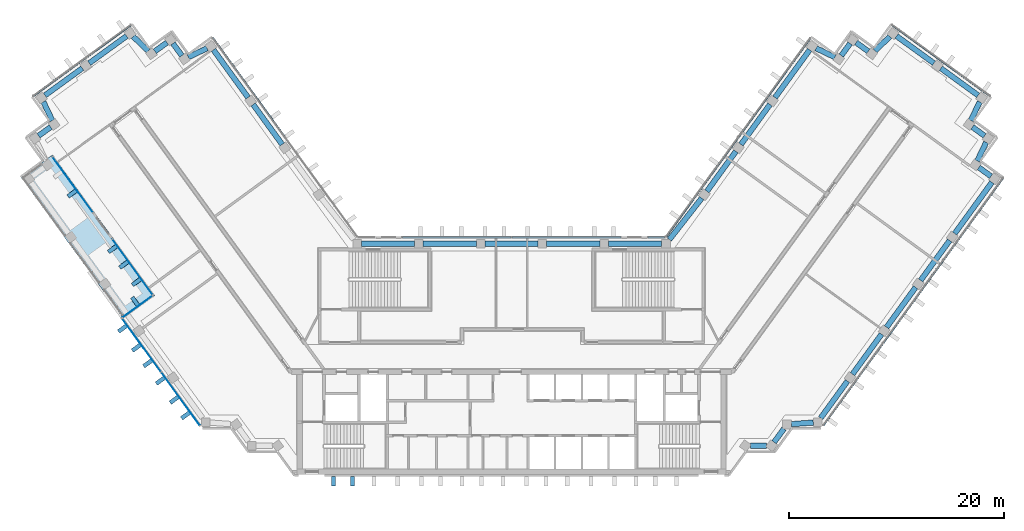
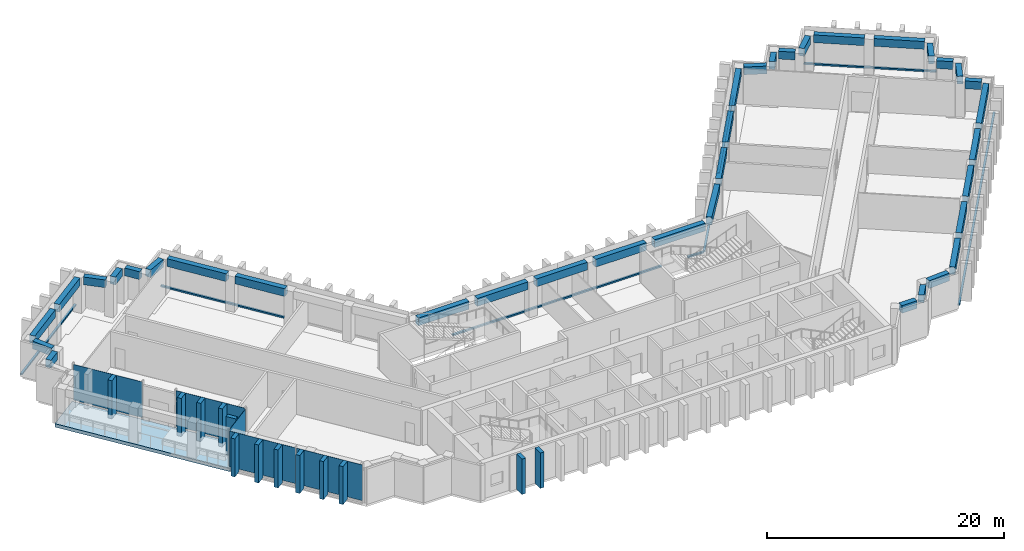
"""IFC4 building model written with IfcOpenShell, lengths in metres."""

from ifc_helpers import new_model, si_unit, direction, frame, origin, origin_2d, place, context, subcontext, project, spatial, polyline, rectangle, outline, extrude, material, layer, layer_set, material_profile, profile_set, type_object, element, aggregate, save


model = new_model("IFC4")

# Units and contexts
model_context = context("Model", 3, precision=1e-05, world=origin(), true_north=direction((0.0, 1.0)))
body_context = subcontext(model_context, "Body", "Model", "MODEL_VIEW")
ifc_project = project(units=[si_unit("LENGTHUNIT", "METRE"), si_unit("AREAUNIT", "SQUARE_METRE"), si_unit("VOLUMEUNIT", "CUBIC_METRE"), si_unit("PLANEANGLEUNIT", "RADIAN"), si_unit("MASSUNIT", "GRAM", prefix="KILO")], contexts=[model_context])

# Site, building, storey
site_placement = place(None, origin())
site = spatial("IfcSite", under=ifc_project, at=site_placement, CompositionType="ELEMENT")
building_placement = place(site_placement, origin())
building = spatial("IfcBuilding", under=site, at=building_placement, Name="Quipu Civic Tower", CompositionType="ELEMENT")
storey_1_placement = place(building_placement, frame((0.0, 0.0, 152.0)))
storey_1 = spatial("IfcBuildingStorey", under=building, at=storey_1_placement, Name="L35", CompositionType="ELEMENT", Elevation=152.0)

# Beams
ifc_material_1 = material(Name="Concrete C50/60", Category="concrete")
ifc_material_profile_1 = material_profile(ifc_material_1, rectangle(XDim=0.5, YDim=0.800048828125, at=origin_2d()), Name="RC500x800")
ifc_profile_set_1 = profile_set([ifc_material_profile_1], Name="Concrete C50/60")
beam_type = type_object("IfcBeamType", Name="Spandrel beam RC 500x800 C50/60", PredefinedType="SPANDREL", material=ifc_profile_set_1)
beam_1_placement = place(storey_1_placement, frame((-21.382568359375, 19.767333984375, 3.25), z_axis=(-0.587736122681, 0.809052686848, 0.0), x_axis=(-0.809052686848, -0.587736122681, 0.0)))
element("IfcBeam", 1, at=beam_1_placement, inside=storey_1, type_object=beam_type, Name="Spandrel beam L35 W-IN-02 to W-IN-03", PredefinedType="SPANDREL", context=body_context, shape_type="SweptSolid", body=[
    extrude(rectangle(XDim=0.5, YDim=0.800048828125, at=origin_2d()), origin(), (0.0, 0.0, 1.0), 4.60009765625),
])
beam_2_placement = place(storey_1_placement, frame((-24.556396484375, 24.13623046875, 3.25), z_axis=(-0.587664254196, 0.809104890815, 0.0), x_axis=(-0.809104890815, -0.587664254196, 0.0)))
element("IfcBeam", 2, at=beam_2_placement, inside=storey_1, type_object=beam_type, Name="Spandrel beam L35 W-IN-03 to T-Wi.0-W34", PredefinedType="SPANDREL", context=body_context, shape_type="SweptSolid", body=[
    extrude(rectangle(XDim=0.5, YDim=0.800048828125, at=origin_2d()), origin(), (0.0, 0.0, 1.0), 5.493896484375),
])
beam_3_placement = place(storey_1_placement, frame((-28.38720703125, 28.72998046875, 3.25), z_axis=(-0.902584802379, -0.430512107279, 0.0), x_axis=(0.430512107279, -0.902584802379, 0.0)))
element("IfcBeam", 3, at=beam_3_placement, inside=storey_1, type_object=beam_type, Name="Spandrel beam L35 T-Wi.0-W34 to T-Wi.1-W34", PredefinedType="SPANDREL", context=body_context, shape_type="SweptSolid", body=[
    extrude(rectangle(XDim=0.5, YDim=0.800048828125, at=origin_2d()), origin(), (0.0, 0.0, 1.0), 1.9326171875),
])
beam_4_placement = place(storey_1_placement, frame((-30.734375, 28.0458984375, 3.25), z_axis=(-0.589342949835, 0.80788296645, 0.0), x_axis=(-0.80788296645, -0.589342949835, 0.0)))
element("IfcBeam", 4, at=beam_4_placement, inside=storey_1, type_object=beam_type, Name="Spandrel beam L35 T-Wi.1-W34 to T-Wi.2-W34", PredefinedType="SPANDREL", context=body_context, shape_type="SweptSolid", body=[
    extrude(rectangle(XDim=0.5, YDim=0.800048828125, at=origin_2d()), origin(), (0.0, 0.0, 1.0), 1.39990234375),
])
beam_5_placement = place(storey_1_placement, frame((-32.118896484375, 29.26513671875, 3.25), z_axis=(-0.80941533633, -0.587236590578, 0.0), x_axis=(0.587236590578, -0.80941533633, 0.0)))
element("IfcBeam", 5, at=beam_5_placement, inside=storey_1, type_object=beam_type, Name="Spandrel beam L35 T-Wi.2-W34 to T-Wi.3-W34", PredefinedType="SPANDREL", context=body_context, shape_type="SweptSolid", body=[
    extrude(rectangle(XDim=0.5, YDim=0.800048828125, at=origin_2d()), origin(), (0.0, 0.0, 1.0), 1.397705078125),
])
beam_6_placement = place(storey_1_placement, frame((-33.868896484375, 28.489501953125, 3.25), z_axis=(-0.72519185421, 0.68854685722, 0.0), x_axis=(-0.68854685722, -0.72519185421, 0.0)))
element("IfcBeam", 6, at=beam_6_placement, inside=storey_1, type_object=beam_type, Name="Spandrel beam L35 T-Wi.3-W34 to T-Wi.4-W34", PredefinedType="SPANDREL", context=body_context, shape_type="SweptSolid", body=[
    extrude(rectangle(XDim=0.5, YDim=0.800048828125, at=origin_2d()), origin(), (0.0, 0.0, 1.0), 1.93212890625),
])
beam_7_placement = place(storey_1_placement, frame((-35.888671875, 29.86474609375, 3.25), z_axis=(-0.808983997561, -0.58783066583, 0.0), x_axis=(0.58783066583, -0.808983997561, 0.0)))
element("IfcBeam", 7, at=beam_7_placement, inside=storey_1, type_object=beam_type, Name="Spandrel beam L35 T-Wi.4-W34 to TIP-W-01-W34", PredefinedType="SPANDREL", context=body_context, shape_type="SweptSolid", body=[
    extrude(rectangle(XDim=0.5, YDim=0.800048828125, at=origin_2d()), origin(), (0.0, 0.0, 1.0), 4.2998046875),
])
beam_8_placement = place(storey_1_placement, frame((-40.014404296875, 26.866943359375, 3.25), z_axis=(-0.808947267178, -0.587881211578, 0.0), x_axis=(0.587881211578, -0.808947267178, 0.0)))
element("IfcBeam", 8, at=beam_8_placement, inside=storey_1, type_object=beam_type, Name="Spandrel beam L35 TIP-W-01-W34 to T-Wo.0-W34", PredefinedType="SPANDREL", context=body_context, shape_type="SweptSolid", body=[
    extrude(rectangle(XDim=0.5, YDim=0.800048828125, at=origin_2d()), origin(), (0.0, 0.0, 1.0), 4.29833984375),
])
beam_9_placement = place(storey_1_placement, frame((-43.64013671875, 23.737548828125, 3.25), z_axis=(0.429889421342, -0.902881545618, 0.0), x_axis=(0.902881545618, 0.429889421342, 0.0)))
element("IfcBeam", 9, at=beam_9_placement, inside=storey_1, type_object=beam_type, Name="Spandrel beam L35 T-Wo.0-W34 to T-Wo.1-W34", PredefinedType="SPANDREL", context=body_context, shape_type="SweptSolid", body=[
    extrude(rectangle(XDim=0.5, YDim=0.800048828125, at=origin_2d()), origin(), (0.0, 0.0, 1.0), 1.931396484375),
])
beam_10_placement = place(storey_1_placement, frame((-42.958740234375, 21.391357421875, 3.25), z_axis=(-0.809467380413, -0.587164849125, 0.0), x_axis=(0.587164849125, -0.809467380413, 0.0)))
element("IfcBeam", 10, at=beam_10_placement, inside=storey_1, type_object=beam_type, Name="Spandrel beam L35 T-Wo.1-W34 to T-Wo.2-W34", PredefinedType="SPANDREL", context=body_context, shape_type="SweptSolid", body=[
    extrude(rectangle(XDim=0.5, YDim=0.800048828125, at=origin_2d()), origin(), (0.0, 0.0, 1.0), 1.399169921875),
])
beam_11_placement = place(storey_1_placement, frame((22.2861328125, -8.31494140625, 3.25), z_axis=(1.0, 0.0, 0.0), x_axis=(0.0, 1.0, 0.0)))
element("IfcBeam", 11, at=beam_11_placement, inside=storey_1, type_object=beam_type, Name="Spandrel beam L35 J-Eo.1 to J-Eo.2", PredefinedType="SPANDREL", context=body_context, shape_type="SweptSolid", body=[
    extrude(rectangle(XDim=0.5, YDim=0.800048828125, at=origin_2d()), origin(), (0.0, 0.0, 1.0), 1.454345703125),
])
beam_12_placement = place(storey_1_placement, frame((24.470458984375, -7.991455078125, 3.25), z_axis=(0.588405601119, 0.808565920981, 0.0), x_axis=(-0.808565920981, 0.588405601119, 0.0)))
element("IfcBeam", 12, at=beam_12_placement, inside=storey_1, type_object=beam_type, Name="Spandrel beam L35 J-Eo.2 to J-Eo.3", PredefinedType="SPANDREL", context=body_context, shape_type="SweptSolid", body=[
    extrude(rectangle(XDim=0.5, YDim=0.800048828125, at=origin_2d()), origin(), (0.0, 0.0, 1.0), 1.55126953125),
])
beam_13_placement = place(storey_1_placement, frame((26.074462890625, -6.307861328125, 3.25), z_axis=(0.997372997143, 0.072436900614, 0.0), x_axis=(-0.072436900614, 0.997372997143, 0.0)))
element("IfcBeam", 13, at=beam_13_placement, inside=storey_1, type_object=beam_type, Name="Spandrel beam L35 J-Eo.3 to J-Eo.4", PredefinedType="SPANDREL", context=body_context, shape_type="SweptSolid", body=[
    extrude(rectangle(XDim=0.5, YDim=0.800048828125, at=origin_2d()), origin(), (0.0, 0.0, 1.0), 2.055908203125),
])
beam_14_placement = place(storey_1_placement, frame((28.815673828125, -5.72998046875, 3.25), z_axis=(0.58776850526, 0.809029161541, 0.0), x_axis=(-0.809029161541, 0.58776850526, 0.0)))
element("IfcBeam", 14, at=beam_14_placement, inside=storey_1, type_object=beam_type, Name="Spandrel beam L35 J-Eo.4 to E-OUT-01", PredefinedType="SPANDREL", context=body_context, shape_type="SweptSolid", body=[
    extrude(rectangle(XDim=0.5, YDim=0.800048828125, at=origin_2d()), origin(), (0.0, 0.0, 1.0), 4.249267578125),
])
beam_15_placement = place(storey_1_placement, frame((31.783447265625, -1.64501953125, 3.25), z_axis=(0.587796098864, 0.809009113768, 0.0), x_axis=(-0.809009113768, 0.587796098864, 0.0)))
element("IfcBeam", 15, at=beam_15_placement, inside=storey_1, type_object=beam_type, Name="Spandrel beam L35 E-OUT-01 to E-OUT-02", PredefinedType="SPANDREL", context=body_context, shape_type="SweptSolid", body=[
    extrude(rectangle(XDim=0.5, YDim=0.800048828125, at=origin_2d()), origin(), (0.0, 0.0, 1.0), 4.60009765625),
])
beam_16_placement = place(storey_1_placement, frame((34.95751953125, 2.7236328125, 3.25), z_axis=(0.58776136044, 0.809034352283, 0.0), x_axis=(-0.809034352283, 0.58776136044, 0.0)))
element("IfcBeam", 16, at=beam_16_placement, inside=storey_1, type_object=beam_type, Name="Spandrel beam L35 E-OUT-02 to E-OUT-03", PredefinedType="SPANDREL", context=body_context, shape_type="SweptSolid", body=[
    extrude(rectangle(XDim=0.5, YDim=0.800048828125, at=origin_2d()), origin(), (0.0, 0.0, 1.0), 4.599853515625),
])
beam_17_placement = place(storey_1_placement, frame((38.13134765625, 7.09228515625, 3.25), z_axis=(0.587770861189, 0.809027449928, 0.0), x_axis=(-0.809027449928, 0.587770861189, 0.0)))
element("IfcBeam", 17, at=beam_17_placement, inside=storey_1, type_object=beam_type, Name="Spandrel beam L35 E-OUT-03 to E-OUT-04", PredefinedType="SPANDREL", context=body_context, shape_type="SweptSolid", body=[
    extrude(rectangle(XDim=0.5, YDim=0.800048828125, at=origin_2d()), origin(), (0.0, 0.0, 1.0), 4.60009765625),
])
beam_18_placement = place(storey_1_placement, frame((41.305419921875, 11.461181640625, 3.25), z_axis=(0.58780026889, 0.809006083965, 0.0), x_axis=(-0.809006083965, 0.58780026889, 0.0)))
element("IfcBeam", 18, at=beam_18_placement, inside=storey_1, type_object=beam_type, Name="Spandrel beam L35 E-OUT-04 to T-Eo.0-E34", PredefinedType="SPANDREL", context=body_context, shape_type="SweptSolid", body=[
    extrude(rectangle(XDim=0.5, YDim=0.800048828125, at=origin_2d()), origin(), (0.0, 0.0, 1.0), 5.902587890625),
])
beam_19_placement = place(storey_1_placement, frame((44.6865234375, 16.79541015625, 3.25), z_axis=(-0.808600329101, 0.588358315805, 0.0), x_axis=(-0.588358315805, -0.808600329101, 0.0)))
element("IfcBeam", 19, at=beam_19_placement, inside=storey_1, type_object=beam_type, Name="Spandrel beam L35 T-Eo.0-E34 to T-Eo.1-E34", PredefinedType="SPANDREL", context=body_context, shape_type="SweptSolid", body=[
    extrude(rectangle(XDim=0.5, YDim=0.800048828125, at=origin_2d()), origin(), (0.0, 0.0, 1.0), 1.400146484375),
])
beam_20_placement = place(storey_1_placement, frame((43.40625, 18.2216796875, 3.25), z_axis=(0.430785642718, 0.902454281406, 0.0), x_axis=(-0.902454281406, 0.430785642718, 0.0)))
element("IfcBeam", 20, at=beam_20_placement, inside=storey_1, type_object=beam_type, Name="Spandrel beam L35 T-Eo.1-E34 to T-Eo.2-E34", PredefinedType="SPANDREL", context=body_context, shape_type="SweptSolid", body=[
    extrude(rectangle(XDim=0.5, YDim=0.800048828125, at=origin_2d()), origin(), (0.0, 0.0, 1.0), 1.934814453125),
])
beam_21_placement = place(storey_1_placement, frame((44.09130859375, 20.56982421875, 3.25), z_axis=(-0.809467380413, 0.587164849125, 0.0), x_axis=(-0.587164849125, -0.809467380413, 0.0)))
element("IfcBeam", 21, at=beam_21_placement, inside=storey_1, type_object=beam_type, Name="Spandrel beam L35 T-Eo.2-E34 to T-Eo.3-E34", PredefinedType="SPANDREL", context=body_context, shape_type="SweptSolid", body=[
    extrude(rectangle(XDim=0.5, YDim=0.800048828125, at=origin_2d()), origin(), (0.0, 0.0, 1.0), 1.399169921875),
])
beam_22_placement = place(storey_1_placement, frame((42.809814453125, 21.99365234375, 3.25), z_axis=(0.429889421342, 0.902881545618, 0.0), x_axis=(-0.902881545618, 0.429889421342, 0.0)))
element("IfcBeam", 22, at=beam_22_placement, inside=storey_1, type_object=beam_type, Name="Spandrel beam L35 T-Eo.3-E34 to T-Eo.4-E34", PredefinedType="SPANDREL", context=body_context, shape_type="SweptSolid", body=[
    extrude(rectangle(XDim=0.5, YDim=0.800048828125, at=origin_2d()), origin(), (0.0, 0.0, 1.0), 1.931396484375),
])
beam_23_placement = place(storey_1_placement, frame((43.491455078125, 24.340087890625, 3.25), z_axis=(-0.808947267178, 0.587881211578, 0.0), x_axis=(-0.587881211578, -0.808947267178, 0.0)))
element("IfcBeam", 23, at=beam_23_placement, inside=storey_1, type_object=beam_type, Name="Spandrel beam L35 T-Eo.4-E34 to TIP-E-01-E34", PredefinedType="SPANDREL", context=body_context, shape_type="SweptSolid", body=[
    extrude(rectangle(XDim=0.5, YDim=0.800048828125, at=origin_2d()), origin(), (0.0, 0.0, 1.0), 4.29833984375),
])
beam_24_placement = place(storey_1_placement, frame((39.3671875, 27.337158203125, 3.25), z_axis=(-0.808983997561, 0.58783066583, 0.0), x_axis=(-0.58783066583, -0.808983997561, 0.0)))
element("IfcBeam", 24, at=beam_24_placement, inside=storey_1, type_object=beam_type, Name="Spandrel beam L35 TIP-E-01-E34 to T-Ei.0-E34", PredefinedType="SPANDREL", context=body_context, shape_type="SweptSolid", body=[
    extrude(rectangle(XDim=0.5, YDim=0.800048828125, at=origin_2d()), origin(), (0.0, 0.0, 1.0), 4.2998046875),
])
beam_25_placement = place(storey_1_placement, frame((35.27001953125, 29.81982421875, 3.25), z_axis=(-0.72519185421, -0.68854685722, 0.0), x_axis=(0.68854685722, -0.72519185421, 0.0)))
element("IfcBeam", 25, at=beam_25_placement, inside=storey_1, type_object=beam_type, Name="Spandrel beam L35 T-Ei.0-E34 to T-Ei.1-E34", PredefinedType="SPANDREL", context=body_context, shape_type="SweptSolid", body=[
    extrude(rectangle(XDim=0.5, YDim=0.800048828125, at=origin_2d()), origin(), (0.0, 0.0, 1.0), 1.93212890625),
])
beam_26_placement = place(storey_1_placement, frame((33.250244140625, 28.4443359375, 3.25), z_axis=(-0.80941533633, 0.587236590578, 0.0), x_axis=(-0.587236590578, -0.80941533633, 0.0)))
element("IfcBeam", 26, at=beam_26_placement, inside=storey_1, type_object=beam_type, Name="Spandrel beam L35 T-Ei.1-E34 to T-Ei.2-E34", PredefinedType="SPANDREL", context=body_context, shape_type="SweptSolid", body=[
    extrude(rectangle(XDim=0.5, YDim=0.800048828125, at=origin_2d()), origin(), (0.0, 0.0, 1.0), 1.397705078125),
])
beam_27_placement = place(storey_1_placement, frame((31.559326171875, 29.1767578125, 3.25), z_axis=(-0.589342949835, -0.80788296645, 0.0), x_axis=(0.80788296645, -0.589342949835, 0.0)))
element("IfcBeam", 27, at=beam_27_placement, inside=storey_1, type_object=beam_type, Name="Spandrel beam L35 T-Ei.2-E34 to T-Ei.3-E34", PredefinedType="SPANDREL", context=body_context, shape_type="SweptSolid", body=[
    extrude(rectangle(XDim=0.5, YDim=0.800048828125, at=origin_2d()), origin(), (0.0, 0.0, 1.0), 1.39990234375),
])
beam_28_placement = place(storey_1_placement, frame((30.131591796875, 27.89794921875, 3.25), z_axis=(-0.902584802379, 0.430512107279, 0.0), x_axis=(-0.430512107279, -0.902584802379, 0.0)))
element("IfcBeam", 28, at=beam_28_placement, inside=storey_1, type_object=beam_type, Name="Spandrel beam L35 T-Ei.3-E34 to T-Ei.4-E34", PredefinedType="SPANDREL", context=body_context, shape_type="SweptSolid", body=[
    extrude(rectangle(XDim=0.5, YDim=0.800048828125, at=origin_2d()), origin(), (0.0, 0.0, 1.0), 1.9326171875),
])
beam_29_placement = place(storey_1_placement, frame((27.784912109375, 28.581298828125, 3.25), z_axis=(-0.587664254196, -0.809104890815, 0.0), x_axis=(0.809104890815, -0.587664254196, 0.0)))
element("IfcBeam", 29, at=beam_29_placement, inside=storey_1, type_object=beam_type, Name="Spandrel beam L35 T-Ei.4-E34 to E-IN-03", PredefinedType="SPANDREL", context=body_context, shape_type="SweptSolid", body=[
    extrude(rectangle(XDim=0.5, YDim=0.800048828125, at=origin_2d()), origin(), (0.0, 0.0, 1.0), 5.493896484375),
])
beam_30_placement = place(storey_1_placement, frame((24.086181640625, 23.489013671875, 3.25), z_axis=(-0.587736122681, -0.809052686848, 0.0), x_axis=(0.809052686848, -0.587736122681, 0.0)))
element("IfcBeam", 30, at=beam_30_placement, inside=storey_1, type_object=beam_type, Name="Spandrel beam L35 E-IN-03 to E-IN-02", PredefinedType="SPANDREL", context=body_context, shape_type="SweptSolid", body=[
    extrude(rectangle(XDim=0.5, YDim=0.800048828125, at=origin_2d()), origin(), (0.0, 0.0, 1.0), 4.60009765625),
])
beam_31_placement = place(storey_1_placement, frame((20.912353515625, 19.1201171875, 3.25), z_axis=(-0.58776136044, -0.809034352283, 0.0), x_axis=(0.809034352283, -0.58776136044, 0.0)))
element("IfcBeam", 31, at=beam_31_placement, inside=storey_1, type_object=beam_type, Name="Spandrel beam L35 E-IN-02 to E-IN-01", PredefinedType="SPANDREL", context=body_context, shape_type="SweptSolid", body=[
    extrude(rectangle(XDim=0.5, YDim=0.800048828125, at=origin_2d()), origin(), (0.0, 0.0, 1.0), 4.599853515625),
])
beam_32_placement = place(storey_1_placement, frame((17.72705078125, 14.759765625, 3.25), z_axis=(-0.616090612932, -0.787675286306, 0.0), x_axis=(0.787675286306, -0.616090612932, 0.0)))
element("IfcBeam", 32, at=beam_32_placement, inside=storey_1, type_object=beam_type, Name="Spandrel beam L35 E-IN-01 to J-Ei.0", PredefinedType="SPANDREL", context=body_context, shape_type="SweptSolid", body=[
    extrude(rectangle(XDim=0.5, YDim=0.800048828125, at=origin_2d()), origin(), (0.0, 0.0, 1.0), 4.900390625),
])
for number, where, z_axis, x_axis, name in (
    (33, (13.9951171875, 10.5, 3.25), (-1.0, 0.0, 0.0), (0.0, -1.0, 0.0), "Spandrel beam L35 J-Ei.0 to FRONT-01"),
    (34, (8.237060546875, 10.5, 3.25), (-1.0, 0.0, 0.0), (0.0, -1.0, 0.0), "Spandrel beam L35 FRONT-01 to FRONT-02"),
    (35, (2.47900390625, 10.5, 3.25), (-1.0, 0.0, 0.0), (0.0, -1.0, 0.0), "Spandrel beam L35 FRONT-02 to FRONT-03"),
    (36, (-3.279052734375, 10.5, 3.25), (-1.0, 0.0, 0.0), (0.0, -1.0, 0.0), "Spandrel beam L35 FRONT-03 to FRONT-04"),
    (37, (-9.037109375, 10.5, 3.25), (-1.0, 0.0, 0.0), (0.0, -1.0, 0.0), "Spandrel beam L35 FRONT-04 to J-Wi.0"),
):
    element("IfcBeam", number, at=place(storey_1_placement, frame(where, z_axis=z_axis, x_axis=x_axis)), inside=storey_1, type_object=beam_type, Name=name, PredefinedType="SPANDREL", context=body_context, shape_type="SweptSolid", body=[
        extrude(rectangle(XDim=0.5, YDim=0.800048828125, at=origin_2d()), origin(), (0.0, 0.0, 1.0), 4.9580078125),
    ])

# Storey
storey_2_placement = place(building_placement, frame((0.0, 0.0, 148.0)))
storey_2 = spatial("IfcBuildingStorey", under=building, at=storey_2_placement, Name="L34", CompositionType="ELEMENT", Elevation=148.0)

# Curtain wall, members
ifc_material_2 = material(Name="Insulated glass unit", Category="glass")
curtain_wall_type = type_object("IfcCurtainWallType", Name="Office curtain wall CW1", PredefinedType="NOTDEFINED", material=ifc_material_2)
curtain_wall_1_placement = place(storey_2_placement, origin())
curtain_wall_1 = element("IfcCurtainWall", 38, at=curtain_wall_1_placement, inside=storey_2, type_object=curtain_wall_type, Name="Office curtain wall CW1 L33 run 16", PredefinedType="NOTDEFINED")
ifc_material_3 = material(Name="Anodised aluminium", Category="aluminium")
ifc_material_profile_2 = material_profile(ifc_material_3, rectangle(XDim=0.199951171875, YDim=0.159912109375, at=origin_2d()), Name="RECT 200x160")
ifc_profile_set_2 = profile_set([ifc_material_profile_2], Name="Anodised aluminium")
member_type = type_object("IfcMemberType", Name="Transom CW1", PredefinedType="USERDEFINED", material=ifc_profile_set_2)
member_1_placement = place(storey_1_placement, frame((29.052978515625, -6.424072265625, 0.080078125), z_axis=(0.587783783239, 0.809018061703, 0.0), x_axis=(-0.809018061703, 0.587783783239, 0.0)))
member_1 = element("IfcMember", 39, at=member_1_placement, inside=storey_1, type_object=member_type, Name="CW1 transom 1.3", ObjectType="TRANSOM", PredefinedType="USERDEFINED", context=body_context, shape_type="SweptSolid", body=[
    extrude(rectangle(XDim=0.199951171875, YDim=0.159912109375, at=origin_2d()), origin(), (0.0, 0.0, 1.0), 9.431884765625),
])
member_2_placement = place(storey_1_placement, frame((34.64404296875, 1.271240234375, 0.080078125), z_axis=(0.587773158676, 0.809025780763, 0.0), x_axis=(-0.809025780763, 0.587773158676, 0.0)))
member_2 = element("IfcMember", 40, at=member_2_placement, inside=storey_1, type_object=member_type, Name="CW1 transom 2.3", ObjectType="TRANSOM", PredefinedType="USERDEFINED", context=body_context, shape_type="SweptSolid", body=[
    extrude(rectangle(XDim=0.199951171875, YDim=0.159912109375, at=origin_2d()), origin(), (0.0, 0.0, 1.0), 9.471923828125),
])
member_3_placement = place(storey_1_placement, frame((40.258544921875, 8.9990234375, 0.080078125), z_axis=(0.587783783239, 0.809018061703, 0.0), x_axis=(-0.809018061703, 0.587783783239, 0.0)))
member_3 = element("IfcMember", 41, at=member_3_placement, inside=storey_1, type_object=member_type, Name="CW1 transom 3.3", ObjectType="TRANSOM", PredefinedType="USERDEFINED", context=body_context, shape_type="SweptSolid", body=[
    extrude(rectangle(XDim=0.199951171875, YDim=0.159912109375, at=origin_2d()), origin(), (0.0, 0.0, 1.0), 9.431884765625),
])
aggregate(curtain_wall_1, [member_1, member_2, member_3])

# Curtain wall, member
curtain_wall_2_placement = place(storey_2_placement, origin())
curtain_wall_2 = element("IfcCurtainWall", 42, at=curtain_wall_2_placement, inside=storey_2, type_object=curtain_wall_type, Name="Office curtain wall CW1 L33 run 21", PredefinedType="NOTDEFINED")
member_4_placement = place(storey_1_placement, frame((44.590087890625, 24.2841796875, 0.080078125), z_axis=(-0.809014959561, 0.587788052963, 0.0), x_axis=(-0.587788052963, -0.809014959561, 0.0)))
member_4 = element("IfcMember", 43, at=member_4_placement, inside=storey_1, type_object=member_type, Name="CW1 transom 1.3", ObjectType="TRANSOM", PredefinedType="USERDEFINED", context=body_context, shape_type="SweptSolid", body=[
    extrude(rectangle(XDim=0.199951171875, YDim=0.159912109375, at=origin_2d()), origin(), (0.0, 0.0, 1.0), 11.239990234375),
])
aggregate(curtain_wall_2, [member_4])

# Curtain wall, members
curtain_wall_3_placement = place(storey_2_placement, origin())
curtain_wall_3 = element("IfcCurtainWall", 44, at=curtain_wall_3_placement, inside=storey_2, type_object=curtain_wall_type, Name="Office curtain wall CW1 L33 run 26", PredefinedType="NOTDEFINED")
member_5_placement = place(storey_1_placement, frame((27.84228515625, 29.678466796875, 0.080078125), z_axis=(-0.587775682251, -0.809023947331, 0.0), x_axis=(0.809023947331, -0.587775682251, 0.0)))
member_5 = element("IfcMember", 45, at=member_5_placement, inside=storey_1, type_object=member_type, Name="CW1 transom 1.3", ObjectType="TRANSOM", PredefinedType="USERDEFINED", context=body_context, shape_type="SweptSolid", body=[
    extrude(rectangle(XDim=0.199951171875, YDim=0.159912109375, at=origin_2d()), origin(), (0.0, 0.0, 1.0), 11.402099609375),
])
member_6_placement = place(storey_1_placement, frame((21.09326171875, 20.38916015625, 0.080078125), z_axis=(-0.587799878401, -0.809006367683, 0.0), x_axis=(0.809006367683, -0.587799878401, 0.0)))
member_6 = element("IfcMember", 46, at=member_6_placement, inside=storey_1, type_object=member_type, Name="CW1 transom 2.3", ObjectType="TRANSOM", PredefinedType="USERDEFINED", context=body_context, shape_type="SweptSolid", body=[
    extrude(rectangle(XDim=0.199951171875, YDim=0.159912109375, at=origin_2d()), origin(), (0.0, 0.0, 1.0), 11.402099609375),
])
aggregate(curtain_wall_3, [member_5, member_6])

# Curtain wall, member
curtain_wall_4_placement = place(storey_2_placement, origin())
curtain_wall_4 = element("IfcCurtainWall", 47, at=curtain_wall_4_placement, inside=storey_2, type_object=curtain_wall_type, Name="Office curtain wall CW1 L33 run 27", PredefinedType="NOTDEFINED")
member_7_placement = place(storey_1_placement, frame((14.26416015625, 11.10009765625, 0.080078125), z_axis=(-1.0, 0.0, 0.0), x_axis=(0.0, -1.0, 0.0)))
member_7 = element("IfcMember", 48, at=member_7_placement, inside=storey_1, type_object=member_type, Name="CW1 transom 1.3", ObjectType="TRANSOM", PredefinedType="USERDEFINED", context=body_context, shape_type="SweptSolid", body=[
    extrude(rectangle(XDim=0.199951171875, YDim=0.159912109375, at=origin_2d()), origin(), (0.0, 0.0, 1.0), 1.529052734375),
])
aggregate(curtain_wall_4, [member_7])

# Curtain wall, members
curtain_wall_5_placement = place(storey_2_placement, origin())
curtain_wall_5 = element("IfcCurtainWall", 49, at=curtain_wall_5_placement, inside=storey_2, type_object=curtain_wall_type, Name="Office curtain wall CW1 L33 run 29", PredefinedType="NOTDEFINED")
member_8_placement = place(storey_1_placement, frame((10.18359375, 11.10009765625, 0.080078125), z_axis=(-1.0, 0.0, 0.0), x_axis=(0.0, -1.0, 0.0)))
member_8 = element("IfcMember", 50, at=member_8_placement, inside=storey_1, type_object=member_type, Name="CW1 transom 1.3", ObjectType="TRANSOM", PredefinedType="USERDEFINED", context=body_context, shape_type="SweptSolid", body=[
    extrude(rectangle(XDim=0.199951171875, YDim=0.159912109375, at=origin_2d()), origin(), (0.0, 0.0, 1.0), 10.1435546875),
])
member_9_placement = place(storey_1_placement, frame((-0.0400390625, 11.10009765625, 0.080078125), z_axis=(-1.0, 0.0, 0.0), x_axis=(0.0, -1.0, 0.0)))
member_9 = element("IfcMember", 51, at=member_9_placement, inside=storey_1, type_object=member_type, Name="CW1 transom 2.3", ObjectType="TRANSOM", PredefinedType="USERDEFINED", context=body_context, shape_type="SweptSolid", body=[
    extrude(rectangle(XDim=0.199951171875, YDim=0.159912109375, at=origin_2d()), origin(), (0.0, 0.0, 1.0), 10.1435546875),
])
aggregate(curtain_wall_5, [member_8, member_9])

# Curtain wall, member
curtain_wall_6_placement = place(storey_2_placement, origin())
curtain_wall_6 = element("IfcCurtainWall", 52, at=curtain_wall_6_placement, inside=storey_2, type_object=curtain_wall_type, Name="Office curtain wall CW1 L33 run 32", PredefinedType="NOTDEFINED")
member_10_placement = place(storey_1_placement, frame((-21.140380859375, 20.453857421875, 0.080078125), z_axis=(-0.587775682251, 0.809023947331, 0.0), x_axis=(-0.809023947331, -0.587775682251, 0.0)))
member_10 = element("IfcMember", 53, at=member_10_placement, inside=storey_1, type_object=member_type, Name="CW1 transom 2.3", ObjectType="TRANSOM", PredefinedType="USERDEFINED", context=body_context, shape_type="SweptSolid", body=[
    extrude(rectangle(XDim=0.199951171875, YDim=0.159912109375, at=origin_2d()), origin(), (0.0, 0.0, 1.0), 11.402099609375),
])
aggregate(curtain_wall_6, [member_10])

curtain_wall_7_placement = place(storey_2_placement, origin())
curtain_wall_7 = element("IfcCurtainWall", 54, at=curtain_wall_7_placement, inside=storey_2, type_object=curtain_wall_type, Name="Office curtain wall CW1 L33 run 37", PredefinedType="NOTDEFINED")
member_11_placement = place(storey_1_placement, frame((-35.496826171875, 30.890869140625, 0.080078125), z_axis=(-0.809014959561, -0.587788052963, 0.0), x_axis=(0.587788052963, -0.809014959561, 0.0)))
member_11 = element("IfcMember", 55, at=member_11_placement, inside=storey_1, type_object=member_type, Name="CW1 transom 1.3", ObjectType="TRANSOM", PredefinedType="USERDEFINED", context=body_context, shape_type="SweptSolid", body=[
    extrude(rectangle(XDim=0.199951171875, YDim=0.159912109375, at=origin_2d()), origin(), (0.0, 0.0, 1.0), 11.239990234375),
])
aggregate(curtain_wall_7, [member_11])

# Curtain wall, plate
curtain_wall_8_placement = place(storey_1_placement, origin())
curtain_wall_8 = element("IfcCurtainWall", 56, at=curtain_wall_8_placement, inside=storey_1, type_object=curtain_wall_type, Name="Office curtain wall CW1 L35 run 3", PredefinedType="NOTDEFINED")
ifc_material_4 = material(Name="Insulated glass unit", Category="glass")
ifc_layer_1 = layer(ifc_material_4, 0.028076171875)
ifc_layer_set_1 = layer_set([ifc_layer_1], Name="Insulated glass unit")
plate_type_1 = type_object("IfcPlateType", Name="Glass panel CW1", PredefinedType="CURTAIN_PANEL", material=ifc_layer_set_1)
plate_1_placement = place(storey_1_placement, frame((-40.903564453125, 16.01171875, 0.240234375), z_axis=(0.0, 0.0, 1.0), x_axis=(0.587783983369, -0.8090179163, 0.0)))
plate_1 = element("IfcPlate", 57, at=plate_1_placement, type_object=plate_type_1, Name="CW1 panel 1.1", PredefinedType="CURTAIN_PANEL", context=body_context, shape_type="SweptSolid", body=[
    extrude(rectangle(XDim=6.35888671875, YDim=0.028076171875, at=origin_2d()), origin(), (0.0, 0.0, 1.0), 3.679931640625),
])
aggregate(curtain_wall_8, [plate_1])

curtain_wall_9_placement = place(storey_1_placement, origin())
curtain_wall_9 = element("IfcCurtainWall", 58, at=curtain_wall_9_placement, inside=storey_1, type_object=curtain_wall_type, Name="Office curtain wall CW1 L35 run 5", PredefinedType="NOTDEFINED")
plate_2_placement = place(storey_1_placement, frame((-35.33056640625, 8.341064453125, 0.240234375), z_axis=(0.0, 0.0, 1.0), x_axis=(0.587777549221, -0.809022590928, 0.0)))
plate_2 = element("IfcPlate", 59, at=plate_2_placement, type_object=plate_type_1, Name="CW1 panel 1.1", PredefinedType="CURTAIN_PANEL", context=body_context, shape_type="SweptSolid", body=[
    extrude(rectangle(XDim=6.358154296875, YDim=0.028076171875, at=origin_2d()), origin(), (0.0, 0.0, 1.0), 3.679931640625),
])
aggregate(curtain_wall_9, [plate_2])

curtain_wall_10_placement = place(storey_1_placement, origin())
curtain_wall_10 = element("IfcCurtainWall", 60, at=curtain_wall_10_placement, inside=storey_1, type_object=curtain_wall_type, Name="Office curtain wall CW1 L35 run 6", PredefinedType="NOTDEFINED")
plate_3_placement = place(storey_1_placement, frame((-34.87109375, 4.646240234375, 0.240234375), z_axis=(0.0, 0.0, 1.0), x_axis=(-0.809014677257, -0.587788441518, 0.0)))
plate_3 = element("IfcPlate", 61, at=plate_3_placement, type_object=plate_type_1, Name="CW1 panel 1.1", PredefinedType="CURTAIN_PANEL", context=body_context, shape_type="SweptSolid", body=[
    extrude(rectangle(XDim=3.43994140625, YDim=0.028076171875, at=origin_2d()), origin(), (0.0, 0.0, 1.0), 3.679931640625),
])
aggregate(curtain_wall_10, [plate_3])

# Curtain wall, plates
curtain_wall_11_placement = place(storey_1_placement, origin())
curtain_wall_11 = element("IfcCurtainWall", 62, at=curtain_wall_11_placement, inside=storey_1, type_object=curtain_wall_type, Name="Office curtain wall CW1 L35 run 7", PredefinedType="NOTDEFINED")
plate_4_placement = place(storey_1_placement, frame((-34.4853515625, 1.052734375, 0.240234375), z_axis=(0.0, 0.0, 1.0), x_axis=(0.587784497578, -0.809017542707, 0.0)))
plate_4 = element("IfcPlate", 63, at=plate_4_placement, type_object=plate_type_1, Name="CW1 panel 1.1", PredefinedType="CURTAIN_PANEL", context=body_context, shape_type="SweptSolid", body=[
    extrude(rectangle(XDim=6.108154296875, YDim=0.028076171875, at=origin_2d()), origin(), (0.0, 0.0, 1.0), 3.679931640625),
])
plate_5_placement = place(storey_1_placement, frame((-30.84814453125, -3.953369140625, 0.240234375), z_axis=(0.0, 0.0, 1.0), x_axis=(0.587784497578, -0.809017542707, 0.0)))
plate_5 = element("IfcPlate", 64, at=plate_5_placement, type_object=plate_type_1, Name="CW1 panel 2.1", PredefinedType="CURTAIN_PANEL", context=body_context, shape_type="SweptSolid", body=[
    extrude(rectangle(XDim=6.108154296875, YDim=0.028076171875, at=origin_2d()), origin(), (0.0, 0.0, 1.0), 3.679931640625),
])
aggregate(curtain_wall_11, [plate_4, plate_5])

# Plates
ifc_material_5 = material(Name="Precast concrete C40/50", Category="concrete")
plate_type_2 = type_object("IfcPlateType", Name="Precast fin F2", PredefinedType="SHEET", material=ifc_material_5)
for number, where, z_axis, x_axis, name in (
    (65, (-16.610107421875, -11.637939453125, 0.0), (0.0, 0.0, 1.0), (1.0, 0.0, 0.0), "Precast fin F2 L35.P07.1"),
    (66, (-14.81005859375, -11.637939453125, 0.0), (0.0, 0.0, 1.0), (1.0, 0.0, 0.0), "Precast fin F2 L35.P07.2"),
):
    element("IfcPlate", number, at=place(storey_1_placement, frame(where, z_axis=z_axis, x_axis=x_axis)), inside=storey_1, type_object=plate_type_2, Name=name, PredefinedType="SHEET", context=body_context, shape_type="SweptSolid", body=[
        extrude(rectangle(XDim=0.3798828125, YDim=0.89990234375, at=origin_2d()), origin(), (0.0, 0.0, 1.0), 3.64990234375),
    ])
for number, where, z_axis, x_axis, name in (
    (67, (-40.97802734375, 15.17822265625, 0.080078125), (0.0, 0.0, 1.0), (0.587783675566, -0.809018139931, 0.0), "Precast fin F2 L35.3.2"),
    (68, (-37.216064453125, 10.000244140625, 0.080078125), (0.0, 0.0, 1.0), (0.587783675566, -0.809018139931, 0.0), "Precast fin F2 L35.5.1"),
    (69, (-36.157958984375, 8.5439453125, 0.080078125), (0.0, 0.0, 1.0), (0.587783675566, -0.809018139931, 0.0), "Precast fin F2 L35.5.2"),
    (70, (-34.982421875, 6.926025390625, 0.080078125), (0.0, 0.0, 1.0), (0.587783675566, -0.809018139931, 0.0), "Precast fin F2 L35.5.3"),
    (71, (-35.10546875, 5.156005859375, 0.080078125), (0.0, 0.0, 1.0), (-0.809014677257, -0.587788441518, 0.0), "Precast fin F2 L35.6.1"),
    (72, (-36.278564453125, 2.58544921875, 0.080078125), (0.0, 0.0, 1.0), (0.58778434727, -0.809017651911, 0.0), "Precast fin F2 L35.7.1"),
    (73, (-34.985595703125, 0.8056640625, 0.080078125), (0.0, 0.0, 1.0), (0.58778434727, -0.809017651911, 0.0), "Precast fin F2 L35.7.2"),
    (74, (-33.927490234375, -0.650634765625, 0.080078125), (0.0, 0.0, 1.0), (0.58778434727, -0.809017651911, 0.0), "Precast fin F2 L35.7.3"),
    (75, (-32.751953125, -2.2685546875, 0.080078125), (0.0, 0.0, 1.0), (0.58778434727, -0.809017651911, 0.0), "Precast fin F2 L35.7.4"),
    (76, (-31.458740234375, -4.048583984375, 0.080078125), (0.0, 0.0, 1.0), (0.58778434727, -0.809017651911, 0.0), "Precast fin F2 L35.7.5"),
    (77, (-30.40087890625, -5.504638671875, 0.080078125), (0.0, 0.0, 1.0), (0.58778434727, -0.809017651911, 0.0), "Precast fin F2 L35.7.6"),
):
    element("IfcPlate", number, at=place(storey_1_placement, frame(where, z_axis=z_axis, x_axis=x_axis)), inside=storey_1, type_object=plate_type_2, Name=name, PredefinedType="SHEET", context=body_context, shape_type="SweptSolid", body=[
        extrude(rectangle(XDim=0.3798828125, YDim=0.89990234375, at=origin_2d()), origin(), (0.0, 0.0, 1.0), 3.919921875),
    ])

# Slab
ifc_material_6 = material(Name="Concrete C40/50", Category="concrete")
ifc_layer_2 = layer(ifc_material_6, 0.35009765625)
ifc_layer_set_2 = layer_set([ifc_layer_2], Name="Concrete C40/50")
slab_type = type_object("IfcSlabType", Name="Terrace slab 350 C40/50", PredefinedType="FLOOR", material=ifc_layer_set_2)
slab_placement = place(storey_1_placement, frame((0.0, 0.0, -0.35009765625)))
element("IfcSlab", 78, at=slab_placement, inside=storey_1, type_object=slab_type, Name="Terrace slab L35", PredefinedType="FLOOR", context=body_context, shape_type="SweptSolid", body=[
    extrude(outline(polyline([(-42.794921875, 18.7900390625), (-33.27490234375, 5.679931640625), (-36.18994140625, 3.56494140625), (-45.7099609375, 16.669921875), (-42.794921875, 18.7900390625)])), origin(), (0.0, 0.0, 1.0), 0.35009765625),
])

save(model, "model.ifc")
